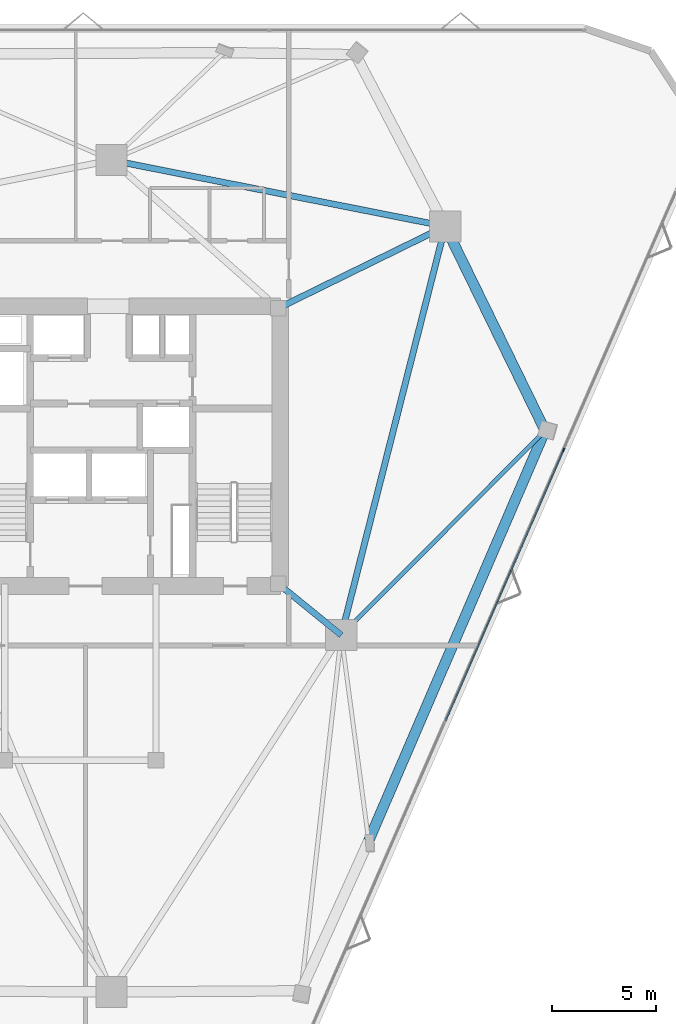
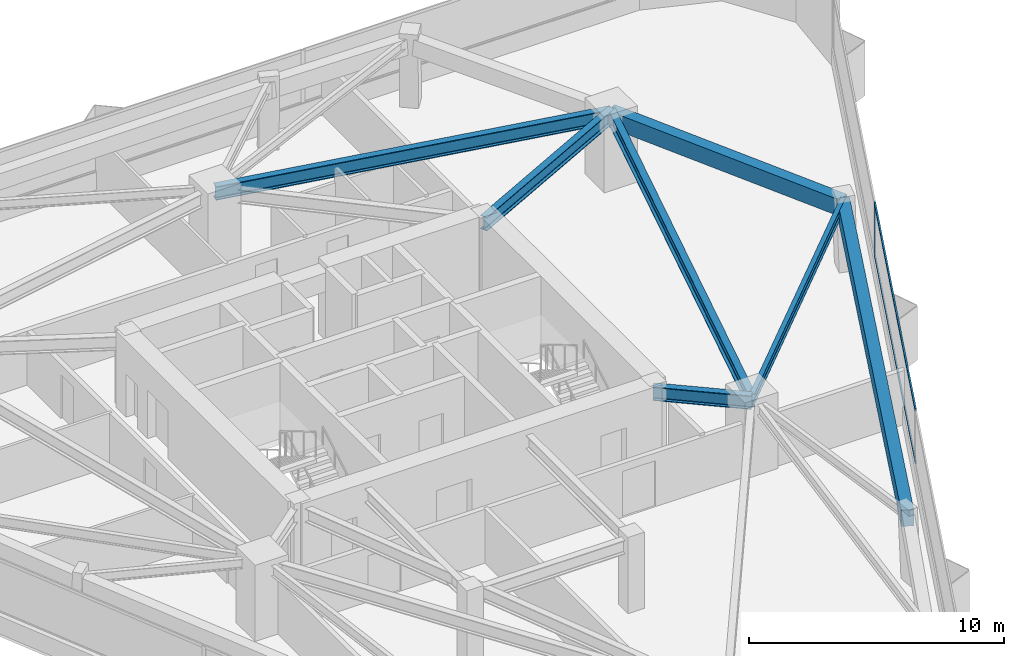
# One storey, part 6 of 11: 7 beams, 3 members, 1 element without a shape of its own.
"""IFC4 building model written with IfcOpenShell, lengths in metres."""

import ifcopenshell
import ifcopenshell.guid

model = None  # the IFC model being written
_history = None  # IfcOwnerHistory: only IFC2X3 demands one
_inside = {}  # id of a spatial element -> (the spatial element, [elements in it])
_under = {}  # id of a project, library or spatial element -> (it, [spatial elements below it])
_declared = {}  # id of a project -> (the project, [libraries it declares])
_typed = {}  # id of a type object -> (the type object, [elements of that type])
_made_of = {}  # id of a material, layer set ... -> (it, [elements and type objects made of it])


def new_model(schema):
    """Start an empty IFC model of exactly this schema.

    Asked for "IFC4X3", IfcOpenShell would pick the latest addendum, in which some entities
    have other attributes; the version numbers below select the first issue.
    IFC2X3 requires an IfcOwnerHistory on every rooted entity: one is made here for all.
    """
    global model, _history
    if schema == "IFC4X3":
        model = ifcopenshell.file(schema_version=(4, 3, 0, 0))
    else:
        model = ifcopenshell.file(schema=schema)
    _inside.clear()
    _under.clear()
    _declared.clear()
    _typed.clear()
    _made_of.clear()
    _history = None
    if model.schema == "IFC2X3":
        org = make("IfcOrganization", Name="unknown")
        user = make(
            "IfcPersonAndOrganization",
            ThePerson=make("IfcPerson", FamilyName="unknown"),
            TheOrganization=org,
        )
        app = make(
            "IfcApplication",
            ApplicationDeveloper=org,
            Version="unknown",
            ApplicationFullName="unknown",
            ApplicationIdentifier="unknown",
        )
        _history = make(
            "IfcOwnerHistory",
            OwningUser=user,
            OwningApplication=app,
            ChangeAction="ADDED",
            CreationDate=0,
        )
    return model


def make(cls, **values):
    """One entity of the class cls with the attributes given. An attribute that is None is left unset."""
    return model.create_entity(
        cls, **{name: value for name, value in values.items() if value is not None}
    )


def rooted(cls, **values):
    """An entity with a GlobalId (a new one), such as an element, a storey or a relation."""
    return make(cls, GlobalId=ifcopenshell.guid.new(), OwnerHistory=_history, **values)


def si_unit(unit_type, name, prefix=None):
    """IfcSIUnit, for example si_unit("LENGTHUNIT", "METRE", prefix="MILLI")."""
    return make("IfcSIUnit", UnitType=unit_type, Prefix=prefix, Name=name)


def assignment(units):
    """IfcUnitAssignment: the units of a project."""
    return None if units is None else make("IfcUnitAssignment", Units=units)


def point(xyz):
    """IfcCartesianPoint."""
    return None if xyz is None else make("IfcCartesianPoint", Coordinates=xyz)


def direction(xyz):
    """IfcDirection."""
    return None if xyz is None else make("IfcDirection", DirectionRatios=xyz)


def frame(location, z_axis=None, x_axis=None):
    """IfcAxis2Placement3D, a coordinate frame: its origin and axes. An axis left out is left unset."""
    return make(
        "IfcAxis2Placement3D",
        Location=point(location),
        Axis=direction(z_axis),
        RefDirection=direction(x_axis),
    )


def frame_2d(location, x_axis=None):
    """IfcAxis2Placement2D, a coordinate frame in the plane: its origin and x axis."""
    return make(
        "IfcAxis2Placement2D", Location=point(location), RefDirection=direction(x_axis)
    )


def origin():
    """The frame at (0, 0, 0) with its axes left unset."""
    return frame((0.0, 0.0, 0.0))


def origin_2d():
    """The frame at (0, 0) in the plane with its x axis left unset."""
    return frame_2d((0.0, 0.0))


def place(relative_to, where):
    """IfcLocalPlacement: puts the frame where relative to a parent placement (None: the world)."""
    return make(
        "IfcLocalPlacement", PlacementRelTo=relative_to, RelativePlacement=where
    )


def context(
    kind, dimensions, precision=None, world=None, true_north=None, identifier=None
):
    """IfcGeometricRepresentationContext, for example the 3D "Model" context."""
    return make(
        "IfcGeometricRepresentationContext",
        ContextIdentifier=identifier,
        ContextType=kind,
        CoordinateSpaceDimension=dimensions,
        Precision=precision,
        WorldCoordinateSystem=world,
        TrueNorth=true_north,
    )


def subcontext(parent, identifier, kind, view, scale=None):
    """IfcGeometricRepresentationSubContext, for example "Body" below "Model"."""
    return make(
        "IfcGeometricRepresentationSubContext",
        ContextIdentifier=identifier,
        ContextType=kind,
        ParentContext=parent,
        TargetScale=scale,
        TargetView=view,
    )


def project(units=None, contexts=None):
    """IfcProject with its units and contexts."""
    return rooted(
        "IfcProject",
        Name="project",
        RepresentationContexts=contexts,
        UnitsInContext=assignment(units),
    )


def spatial(cls, under=None, at=None, **own):
    """A site, building, storey or space (cls), placed at a placement, below another one or the project."""
    s = rooted(cls, ObjectPlacement=at, **own)
    if under is not None:
        _under.setdefault(under.id(), (under, []))[1].append(s)
    return s


def profile(cls, at=None, kind="AREA", **sizes):
    """A parametric profile (cls). Its sizes go by their IFC names, for example OverallWidth=200.0."""
    return make(cls, ProfileType=kind, Position=at, **sizes)


def rectangle(**sizes):
    """IfcRectangleProfileDef."""
    return profile("IfcRectangleProfileDef", **sizes)


def i_section(**sizes):
    """IfcIShapeProfileDef."""
    return profile("IfcIShapeProfileDef", **sizes)


def extrude(swept, where, along, depth):
    """IfcExtrudedAreaSolid: the profile swept, set in the frame where, extruded along a direction by depth."""
    return make(
        "IfcExtrudedAreaSolid",
        SweptArea=swept,
        Position=where,
        ExtrudedDirection=direction(along),
        Depth=depth,
    )


def shape(context_of_items, identifier, shape_type, items):
    """IfcShapeRepresentation: the items that make up one representation, for example the "Body"."""
    return make(
        "IfcShapeRepresentation",
        ContextOfItems=context_of_items,
        RepresentationIdentifier=identifier,
        RepresentationType=shape_type,
        Items=items,
    )


def material(Name=None, Category=None):
    """IfcMaterial."""
    return make("IfcMaterial", Name=Name, Category=Category)


def layer(
    of_material, thickness, ventilated=None, Name=None, Category=None, Priority=None
):
    """IfcMaterialLayer: one layer of a wall or slab, of a material (None: an air gap)."""
    return make(
        "IfcMaterialLayer",
        Material=of_material,
        LayerThickness=thickness,
        IsVentilated=ventilated,
        Name=Name,
        Category=Category,
        Priority=Priority,
    )


def layer_set(layers, Name=None):
    """IfcMaterialLayerSet."""
    return make("IfcMaterialLayerSet", MaterialLayers=layers, LayerSetName=Name)


def material_profile(
    of_material, cross_section, Name=None, Category=None, Priority=None
):
    """IfcMaterialProfile: a cross section and its material."""
    return make(
        "IfcMaterialProfile",
        Name=Name,
        Material=of_material,
        Profile=cross_section,
        Priority=Priority,
        Category=Category,
    )


def profile_set(profiles, Name=None, composite=None):
    """IfcMaterialProfileSet."""
    return make(
        "IfcMaterialProfileSet",
        Name=Name,
        MaterialProfiles=profiles,
        CompositeProfile=composite,
    )


def made_of(thing, what):
    """Note that an element or type object is made of a material, layer set ...; save() writes the relation."""
    if what is not None:
        _made_of.setdefault(what.id(), (what, []))[1].append(thing)
    return thing


def type_object(cls, material=None, **own):
    """A type object (cls), such as IfcWallType, which elements share."""
    return made_of(rooted(cls, **own), material)


def element(
    cls,
    number,
    at=None,
    inside=None,
    cuts=None,
    type_object=None,
    material=None,
    context=None,
    identifier="Body",
    shape_type=None,
    held_by="IfcProductDefinitionShape",
    body=None,
    shapes=None,
    **own,
):
    """One element of the class cls, such as IfcWall. Its Tag is "e" and its number.

    at: its placement. inside: the storey or other place that contains it. cuts: it is an
    opening in that element (IfcRelVoidsElement). A single representation is given by context,
    identifier, shape_type and body (its items); several are given by shapes. held_by: the class
    of the entity that holds the representations. save() writes the other relations.
    """
    e = rooted(cls, Tag="e%d" % number, ObjectPlacement=at, **own)
    if body is not None:
        shapes = [shape(context, identifier, shape_type, body)]
    if shapes is not None:
        e.Representation = make(held_by, Representations=shapes)
    if inside is not None:
        _inside.setdefault(inside.id(), (inside, []))[1].append(e)
    if cuts is not None:
        rooted(
            "IfcRelVoidsElement", RelatingBuildingElement=cuts, RelatedOpeningElement=e
        )
    if type_object is not None:
        _typed.setdefault(type_object.id(), (type_object, []))[1].append(e)
    return made_of(e, material)


def aggregate(whole, parts):
    """IfcRelAggregates: a whole, such as a stair, and the parts it consists of."""
    return rooted("IfcRelAggregates", RelatingObject=whole, RelatedObjects=parts)


def save(model, path):
    """Write the relations noted so far, then the file.

    IfcRelAggregates (storeys below a building ...), IfcRelContainedInSpatialStructure (elements
    in a storey), IfcRelDefinesByType, IfcRelAssociatesMaterial and IfcRelDeclares: one each for
    every whole, place, type object, material and project.
    """
    for whole, parts in _under.values():
        aggregate(whole, parts)
    for where, things in _inside.values():
        rooted(
            "IfcRelContainedInSpatialStructure",
            RelatedElements=things,
            RelatingStructure=where,
        )
    for kind, things in _typed.values():
        rooted("IfcRelDefinesByType", RelatedObjects=things, RelatingType=kind)
    for what, things in _made_of.values():
        rooted("IfcRelAssociatesMaterial", RelatedObjects=things, RelatingMaterial=what)
    for by, libraries in _declared.values():
        rooted("IfcRelDeclares", RelatingContext=by, RelatedDefinitions=libraries)
    model.write(path)


model = new_model("IFC4")

# Units and contexts
model_context = context("Model", 3, precision=1e-05, world=origin(), true_north=direction((0.0, 1.0)))
body_context = subcontext(model_context, "Body", "Model", "MODEL_VIEW")
ifc_project = project(units=[si_unit("LENGTHUNIT", "METRE"), si_unit("AREAUNIT", "SQUARE_METRE"), si_unit("VOLUMEUNIT", "CUBIC_METRE"), si_unit("PLANEANGLEUNIT", "RADIAN"), si_unit("MASSUNIT", "GRAM", prefix="KILO")], contexts=[model_context])

# Site, building, storey
site_placement = place(None, origin())
site = spatial("IfcSite", under=ifc_project, at=site_placement, CompositionType="ELEMENT")
building_placement = place(site_placement, origin())
building = spatial("IfcBuilding", under=site, at=building_placement, Name="Talyreon Biosciences Tower", CompositionType="ELEMENT")
storey_placement = place(building_placement, frame((0.0, 0.0, 160.050048828125)))
storey = spatial("IfcBuildingStorey", under=building, at=storey_placement, Name="L42", CompositionType="ELEMENT", Elevation=160.050048828125)

# Curtain wall, members
ifc_material_1 = material(Name="Thermally broken aluminium and low-E glazing", Category="aluminium")
ifc_layer = layer(ifc_material_1, 0.18505859375)
ifc_layer_set = layer_set([ifc_layer], Name="Thermally broken aluminium and low-E glazing")
curtain_wall_type = type_object("IfcCurtainWallType", Name="CurtainWall_Zone3Bioprocess", PredefinedType="NOTDEFINED", material=ifc_layer_set)
curtain_wall_placement = place(storey_placement, origin())
curtain_wall = element("IfcCurtainWall", 1, at=curtain_wall_placement, inside=storey, type_object=curtain_wall_type, Name="L42 Unitised Curtain Wall FCW-L42-08", PredefinedType="NOTDEFINED")
ifc_material_2 = material(Name="Anodised thermally broken aluminium", Category="aluminium")
ifc_material_profile_1 = material_profile(ifc_material_2, rectangle(XDim=0.06494140625, YDim=0.179931640625, at=origin_2d()), Name="ALUM MULLION 65x180")
ifc_profile_set_1 = profile_set([ifc_material_profile_1], Name="Anodised thermally broken aluminium")
member_type_1 = type_object("IfcMemberType", Name="CWMullion_65x180", PredefinedType="MULLION", material=ifc_profile_set_1)
member_1_placement = place(storey_placement, frame((87.81396484375, 67.81201171875, 0.81005859375), z_axis=(0.0, 0.0, 1.0), x_axis=(0.916731187474, -0.399504605621, 0.0)))
member_1 = element("IfcMember", 2, at=member_1_placement, type_object=member_type_1, Name="CW4 mullion 2", PredefinedType="MULLION", context=body_context, shape_type="SweptSolid", body=[
    extrude(rectangle(XDim=0.06494140625, YDim=0.179931640625, at=origin_2d()), origin(), (0.0, 0.0, 1.0), 2.56494140625),
])
ifc_material_profile_2 = material_profile(ifc_material_2, rectangle(XDim=0.06494140625, YDim=0.139892578125, at=origin_2d()), Name="ALUM TRANSOM 65x140")
ifc_profile_set_2 = profile_set([ifc_material_profile_2], Name="Anodised thermally broken aluminium")
member_type_2 = type_object("IfcMemberType", Name="CWTransom_65x140", PredefinedType="USERDEFINED", material=ifc_profile_set_2)
member_2_placement = place(storey_placement, frame((87.80078125, 67.7822265625, 0.842529296875), z_axis=(-0.399500699967, -0.916732889519, 0.0), x_axis=(0.916732889519, -0.399500699967, 0.0)))
member_2 = element("IfcMember", 3, at=member_2_placement, type_object=member_type_2, Name="CW4 transom 2.1", ObjectType="TRANSOM", PredefinedType="USERDEFINED", context=body_context, shape_type="SweptSolid", body=[
    extrude(rectangle(XDim=0.06494140625, YDim=0.139892578125, at=origin_2d()), origin(), (0.0, 0.0, 1.0), 14.219482421875),
])
member_3_placement = place(storey_placement, frame((87.80078125, 67.7822265625, 3.342529296875), z_axis=(-0.399500699967, -0.916732889519, 0.0), x_axis=(0.916732889519, -0.399500699967, 0.0)))
member_3 = element("IfcMember", 4, at=member_3_placement, type_object=member_type_2, Name="CW4 transom 2.2", ObjectType="TRANSOM", PredefinedType="USERDEFINED", context=body_context, shape_type="SweptSolid", body=[
    extrude(rectangle(XDim=0.06494140625, YDim=0.139892578125, at=origin_2d()), origin(), (0.0, 0.0, 1.0), 14.219482421875),
])
aggregate(curtain_wall, [member_1, member_2, member_3])

# Beams
ifc_material_3 = material(Name="Precast concrete C45/55", Category="concrete")
ifc_material_profile_3 = material_profile(ifc_material_3, rectangle(XDim=0.5, YDim=0.780029296875, at=origin_2d()), Name="RCB 500x780")
ifc_profile_set_3 = profile_set([ifc_material_profile_3], Name="Precast concrete C45/55")
beam_type_1 = type_object("IfcBeamType", Name="ExpressedSpandrel_500x780", PredefinedType="SPANDREL", material=ifc_profile_set_3)
beam_1_placement = place(storey_placement, frame((78.4072265625, 48.95849609375, 2.98486328125), z_axis=(0.395176223115, 0.918605330207, 0.0), x_axis=(-0.918605330207, 0.395176223115, 0.0)))
element("IfcBeam", 5, at=beam_1_placement, inside=storey, type_object=beam_type_1, Name="L42 Expressed Horizontal Concrete Spandrel 03", PredefinedType="SPANDREL", context=body_context, shape_type="SweptSolid", body=[
    extrude(rectangle(XDim=0.5, YDim=0.780029296875, at=origin_2d()), origin(), (0.0, 0.0, 1.0), 21.537109375),
])
beam_2_placement = place(storey_placement, frame((86.918212890625, 68.74267578125, 2.98486328125), z_axis=(-0.439022511785, 0.898476062088, 0.0), x_axis=(-0.898476062088, -0.439022511785, 0.0)))
element("IfcBeam", 6, at=beam_2_placement, inside=storey, type_object=beam_type_1, Name="L42 Expressed Horizontal Concrete Spandrel 04", PredefinedType="SPANDREL", context=body_context, shape_type="SweptSolid", body=[
    extrude(rectangle(XDim=0.5, YDim=0.780029296875, at=origin_2d()), origin(), (0.0, 0.0, 1.0), 10.9697265625),
])
ifc_material_4 = material(Name="Steel SM355", Category="steel")
ifc_material_profile_4 = material_profile(ifc_material_4, i_section(OverallWidth=0.300048828125, OverallDepth=0.64990234375, WebThickness=0.01611328125, FlangeThickness=0.031005859375, FilletRadius=0.027099609375, at=origin_2d()), Name="HE650B")
ifc_profile_set_4 = profile_set([ifc_material_profile_4], Name="Steel SM355")
beam_type_2 = type_object("IfcBeamType", Name="SteelBeam_HE650B", PredefinedType="BEAM", material=ifc_profile_set_4)
beam_3_placement = place(storey_placement, frame((77.086181640625, 58.88037109375, 3.050048828125), z_axis=(0.246537082299, 0.969133358755, 0.0), x_axis=(-0.969133358755, 0.246537082299, 0.0)))
element("IfcBeam", 7, at=beam_3_placement, inside=storey, type_object=beam_type_2, Name="L42 Mega-Ring Girder 2", PredefinedType="BEAM", context=body_context, shape_type="SweptSolid", body=[
    extrude(i_section(OverallWidth=0.300048828125, OverallDepth=0.64990234375, WebThickness=0.01611328125, FlangeThickness=0.031005859375, FilletRadius=0.027099609375, at=origin_2d()), origin(), (0.0, 0.0, 1.0), 20.34619140625),
])
beam_4_placement = place(storey_placement, frame((82.102294921875, 78.5986328125, 3.050048828125), z_axis=(-0.980933730698, 0.194342522311, 0.0), x_axis=(-0.194342522311, -0.980933730698, 0.0)))
element("IfcBeam", 8, at=beam_4_placement, inside=storey, type_object=beam_type_2, Name="L42 Mega-Ring Girder 3", PredefinedType="BEAM", context=body_context, shape_type="SweptSolid", body=[
    extrude(i_section(OverallWidth=0.300048828125, OverallDepth=0.64990234375, WebThickness=0.01611328125, FlangeThickness=0.031005859375, FilletRadius=0.027099609375, at=origin_2d()), origin(), (0.0, 0.0, 1.0), 16.415283203125),
])
beam_5_placement = place(storey_placement, frame((74.050048828125, 61.35009765625, 3.050048828125), z_axis=(0.775755154013, -0.631034025249, 0.0), x_axis=(0.631034025249, 0.775755154013, 0.0)))
element("IfcBeam", 9, at=beam_5_placement, inside=storey, type_object=beam_type_2, Name="L42 Radial Primary Girder 2", PredefinedType="BEAM", context=body_context, shape_type="SweptSolid", body=[
    extrude(i_section(OverallWidth=0.300048828125, OverallDepth=0.64990234375, WebThickness=0.01611328125, FlangeThickness=0.031005859375, FilletRadius=0.027099609375, at=origin_2d()), origin(), (0.0, 0.0, 1.0), 3.913818359375),
])
beam_6_placement = place(storey_placement, frame((74.050048828125, 74.64990234375, 3.050048828125), z_axis=(0.897852360314, 0.440296648952, 0.0), x_axis=(-0.440296648952, 0.897852360314, 0.0)))
element("IfcBeam", 10, at=beam_6_placement, inside=storey, type_object=beam_type_2, Name="L42 Radial Primary Girder 3", PredefinedType="BEAM", context=body_context, shape_type="SweptSolid", body=[
    extrude(i_section(OverallWidth=0.300048828125, OverallDepth=0.64990234375, WebThickness=0.01611328125, FlangeThickness=0.031005859375, FilletRadius=0.027099609375, at=origin_2d()), origin(), (0.0, 0.0, 1.0), 8.96826171875),
])
ifc_material_profile_5 = material_profile(ifc_material_4, i_section(OverallWidth=0.199951171875, OverallDepth=0.5, WebThickness=0.01025390625, FlangeThickness=0.01611328125, FilletRadius=0.02099609375, at=origin_2d()), Name="IPE500")
ifc_profile_set_5 = profile_set([ifc_material_profile_5], Name="Steel SM355")
beam_type_3 = type_object("IfcBeamType", Name="SteelJoist_IPE500", PredefinedType="JOIST", material=ifc_profile_set_5)
beam_7_placement = place(storey_placement, frame((77.086181640625, 58.88037109375, 3.125), z_axis=(0.706019007504, 0.708192884067, 0.0), x_axis=(-0.708192884067, 0.706019007504, 0.0)))
element("IfcBeam", 11, at=beam_7_placement, inside=storey, type_object=beam_type_3, Name="L42 Radial Composite Floor Joist PC-SE2", PredefinedType="JOIST", context=body_context, shape_type="SweptSolid", body=[
    extrude(i_section(OverallWidth=0.199951171875, OverallDepth=0.5, WebThickness=0.01025390625, FlangeThickness=0.01611328125, FilletRadius=0.02099609375, at=origin_2d()), origin(), (0.0, 0.0, 1.0), 13.926025390625),
])

save(model, "model.ifc")
